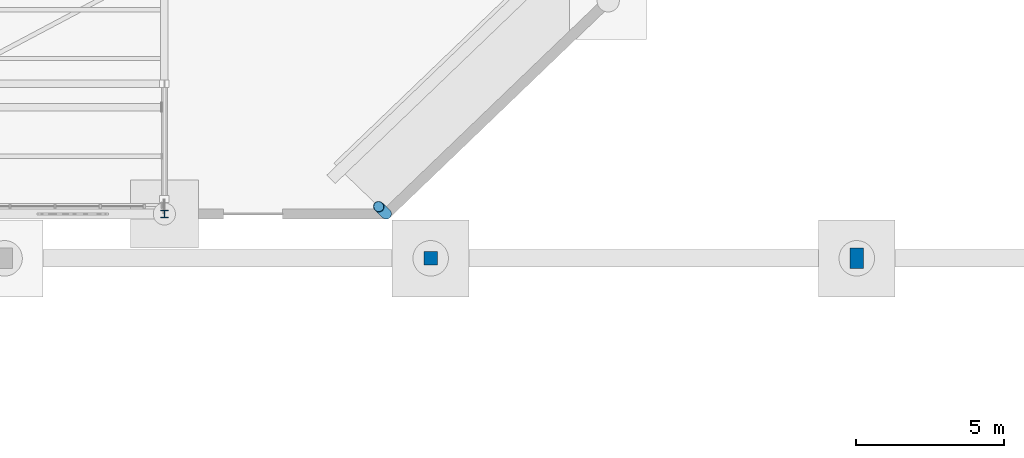
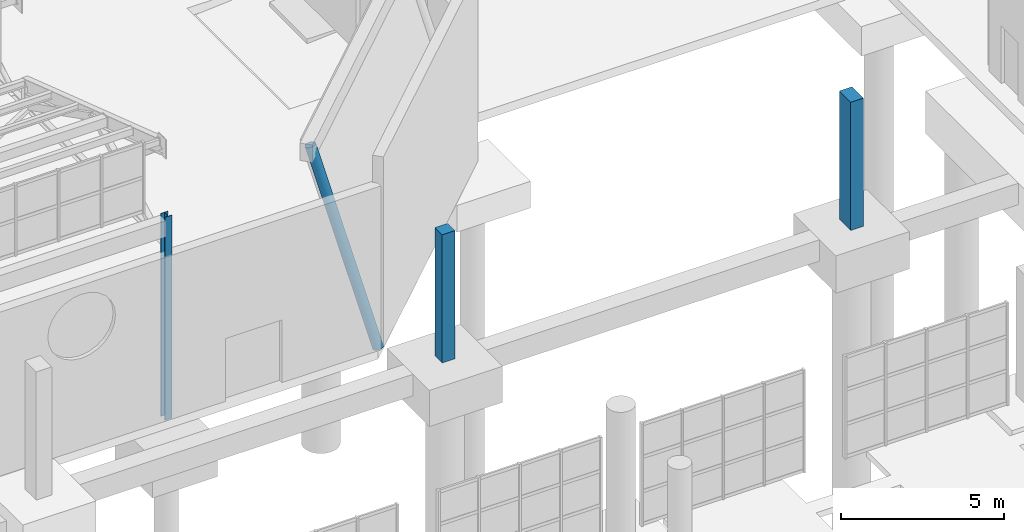
# One storey, part 28 of 285: 4 columns.
"""IFC4 building model written with IfcOpenShell, lengths in metres."""

from ifc_helpers import new_model, si_unit, direction, frame, origin, origin_2d, place, context, subcontext, project, spatial, rectangle, hollow_circle, i_section, extrude, material, material_profile, profile_set, type_object, element, save


model = new_model("IFC4")

# Units and contexts
model_context = context("Model", 3, precision=1e-05, world=origin(), true_north=direction((0.0, 1.0)))
body_context = subcontext(model_context, "Body", "Model", "MODEL_VIEW")
ifc_project = project(units=[si_unit("LENGTHUNIT", "METRE"), si_unit("AREAUNIT", "SQUARE_METRE"), si_unit("VOLUMEUNIT", "CUBIC_METRE"), si_unit("PLANEANGLEUNIT", "RADIAN"), si_unit("MASSUNIT", "GRAM", prefix="KILO")], contexts=[model_context])

# Site, building, storey
site_placement = place(None, origin())
site = spatial("IfcSite", under=ifc_project, at=site_placement, CompositionType="ELEMENT")
building_placement = place(site_placement, origin())
building = spatial("IfcBuilding", under=site, at=building_placement, Name="Solanera Park Tramway Depot", CompositionType="ELEMENT")
storey_placement = place(building_placement, origin())
storey = spatial("IfcBuildingStorey", under=building, at=storey_placement, Name="L00", CompositionType="ELEMENT", Elevation=0.0)

# Columns
ifc_material_1 = material(Name="Concrete N40 (C40/50)", Category="concrete")
ifc_material_profile_1 = material_profile(ifc_material_1, rectangle(XDim=0.449951171875, YDim=0.449951171875, at=origin_2d()), Name="RC 450x450")
ifc_profile_set_1 = profile_set([ifc_material_profile_1], Name="Concrete N40 (C40/50)")
column_type_1 = type_object("IfcColumnType", Name="RC Column Ext RC 450x450", PredefinedType="COLUMN", material=ifc_profile_set_1)
column_1_placement = place(storey_placement, frame((144.0, 54.0, 0.0), z_axis=(0.0, 0.0, 1.0), x_axis=(1.0, 0.0, 0.0)))
element("IfcColumn", 1, at=column_1_placement, inside=storey, type_object=column_type_1, Name="L00 Column V4-X1440-Y540", PredefinedType="COLUMN", context=body_context, shape_type="SweptSolid", body=[
    extrude(rectangle(XDim=0.449951171875, YDim=0.449951171875, at=origin_2d()), origin(), (0.0, 0.0, 1.0), 4.800048828125),
])
ifc_material_2 = material(Name="Concrete N40 (C40/50)", Category="concrete")
ifc_material_profile_2 = material_profile(ifc_material_2, rectangle(XDim=0.449951171875, YDim=0.699951171875, at=origin_2d()), Name="RC 450x700")
ifc_profile_set_2 = profile_set([ifc_material_profile_2], Name="Concrete N40 (C40/50)")
column_type_2 = type_object("IfcColumnType", Name="RC Column Ext RC 450x700", PredefinedType="COLUMN", material=ifc_profile_set_2)
column_2_placement = place(storey_placement, frame((158.39990234375, 54.0, 0.0), z_axis=(0.0, 0.0, 1.0), x_axis=(1.0, 0.0, 0.0)))
element("IfcColumn", 2, at=column_2_placement, inside=storey, type_object=column_type_2, Name="L00 Column V4-X1584-Y540", PredefinedType="COLUMN", context=body_context, shape_type="SweptSolid", body=[
    extrude(rectangle(XDim=0.449951171875, YDim=0.699951171875, at=origin_2d()), origin(), (0.0, 0.0, 1.0), 4.800048828125),
])
ifc_material_3 = material(Name="Steel AS/NZS 3679.1 Grade 350", Category="steel")
ifc_material_profile_3 = material_profile(ifc_material_3, i_section(OverallWidth=0.255615234375, OverallDepth=0.260009765625, WebThickness=0.010498046875, FlangeThickness=0.017333984375, at=origin_2d()), Name="250UC89.5")
ifc_profile_set_3 = profile_set([ifc_material_profile_3], Name="Steel AS/NZS 3679.1 Grade 350")
column_type_3 = type_object("IfcColumnType", Name="Steel Column Ext 250UC89.5", PredefinedType="COLUMN", material=ifc_profile_set_3)
column_3_placement = place(storey_placement, frame((135.0, 55.5, 0.0), z_axis=(0.0, 0.0, 1.0), x_axis=(1.0, 0.0, 0.0)))
element("IfcColumn", 3, at=column_3_placement, inside=storey, type_object=column_type_3, Name="L00 Column V1-X1350-Y555", PredefinedType="COLUMN", context=body_context, shape_type="SweptSolid", body=[
    extrude(i_section(OverallWidth=0.255615234375, OverallDepth=0.260009765625, WebThickness=0.010498046875, FlangeThickness=0.017333984375, at=origin_2d()), origin(), (0.0, 0.0, 1.0), 7.60009765625),
])
ifc_material_4 = material(Name="Steel AS/NZS 1163 Grade C350L0", Category="steel")
ifc_material_profile_4 = material_profile(ifc_material_4, hollow_circle(Radius=0.177734375, WallThickness=0.0126953125, at=origin_2d()), Name="355.6x12.7 CHS")
ifc_profile_set_4 = profile_set([ifc_material_profile_4], Name="Steel AS/NZS 1163 Grade C350L0")
column_type_4 = type_object("IfcColumnType", Name="Steel Column Ext 355.6x12.7 CHS", PredefinedType="COLUMN", material=ifc_profile_set_4)
column_4_placement = place(storey_placement, frame((142.5, 55.5, 0.0), z_axis=(-0.204776827534, 0.196833457878, 0.958813350327), x_axis=(-0.692985522291, -0.720951500377, 0.0)))
element("IfcColumn", 4, at=column_4_placement, inside=storey, type_object=column_type_4, Name="V1 Carved Corner Raked Column SE-1", PredefinedType="COLUMN", context=body_context, shape_type="SweptSolid", body=[
    extrude(hollow_circle(Radius=0.177734375, WallThickness=0.0126953125, at=origin_2d()), origin(), (0.0, 0.0, 1.0), 7.530029296875),
])

save(model, "model.ifc")
